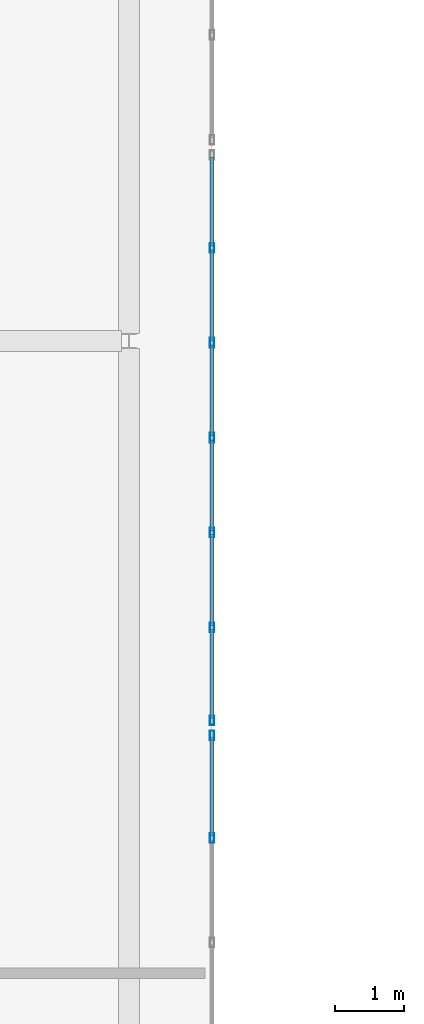
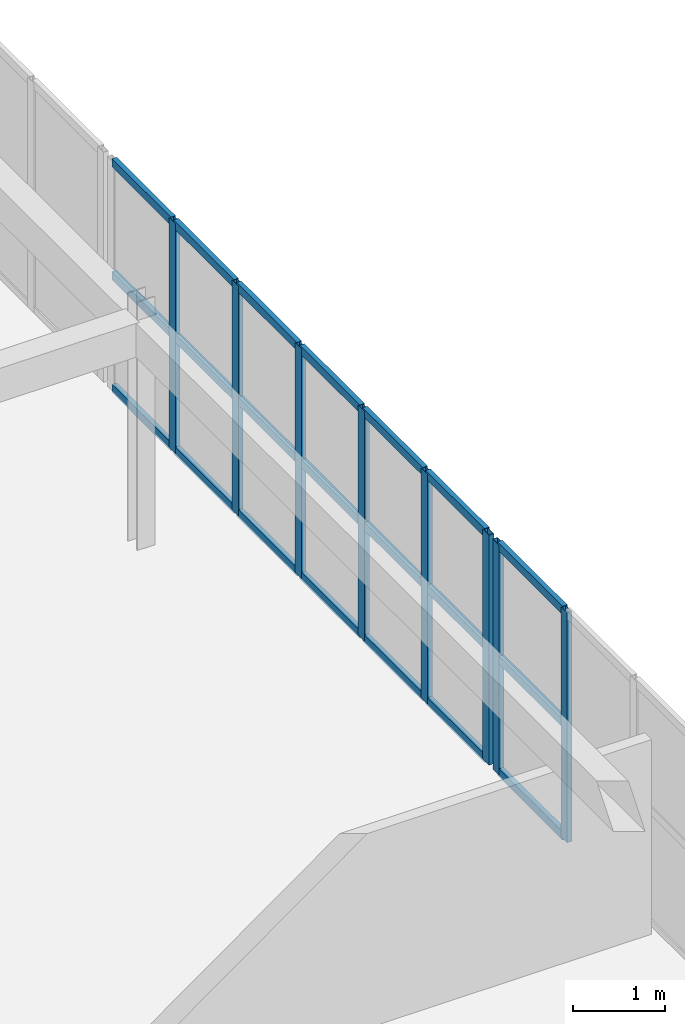
# One storey, part 77 of 148: 29 members, 2 elements without a shape of their own.
"""IFC4 building model written with IfcOpenShell, lengths in metres."""

from ifc_helpers import new_model, si_unit, direction, frame, origin, origin_2d, place, context, subcontext, project, spatial, hollow_rectangle, extrude, material, layer, layer_set, material_profile, profile_set, type_object, element, aggregate, save


model = new_model("IFC4")

# Units and contexts
model_context = context("Model", 3, precision=1e-05, world=origin(), true_north=direction((0.0, 1.0)))
body_context = subcontext(model_context, "Body", "Model", "MODEL_VIEW")
ifc_project = project(units=[si_unit("LENGTHUNIT", "METRE"), si_unit("AREAUNIT", "SQUARE_METRE"), si_unit("VOLUMEUNIT", "CUBIC_METRE"), si_unit("PLANEANGLEUNIT", "RADIAN"), si_unit("MASSUNIT", "GRAM", prefix="KILO")], contexts=[model_context])

# Site, building, storey
site_placement = place(None, origin())
site = spatial("IfcSite", under=ifc_project, at=site_placement, CompositionType="ELEMENT")
building_placement = place(site_placement, origin())
building = spatial("IfcBuilding", under=site, at=building_placement, Name="Trelvath General Hospital", CompositionType="ELEMENT")
storey_placement = place(building_placement, frame((0.0, 0.0, 12.89990234375)))
storey = spatial("IfcBuildingStorey", under=building, at=storey_placement, Name="L03", CompositionType="ELEMENT", Elevation=12.89990234375)

# Curtain wall, members
ifc_material_1 = material(Name="Anodised aluminium and low-E glass", Category="aluminium")
ifc_layer_1 = layer(ifc_material_1, 0.14990234375)
ifc_layer_set_1 = layer_set([ifc_layer_1], Name="Anodised aluminium and low-E glass")
curtain_wall_type_1 = type_object("IfcCurtainWallType", Name="CW CrystalCube 1664 306 15", PredefinedType="USERDEFINED", material=ifc_layer_set_1)
curtain_wall_1_placement = place(storey_placement, origin())
curtain_wall_1 = element("IfcCurtainWall", 1, at=curtain_wall_1_placement, inside=storey, type_object=curtain_wall_type_1, Name="Crystal Cube Curtain Wall CUBE-E-T1 E3 L03", ObjectType="Unitised Glazed Curtain Wall", PredefinedType="USERDEFINED")
ifc_material_2 = material(Name="Anodised aluminium", Category="aluminium")
ifc_material_profile_1 = material_profile(ifc_material_2, hollow_rectangle(XDim=0.06005859375, YDim=0.139892578125, WallThickness=0.00390625, at=origin_2d()), Name="RHS60x140x4")
ifc_profile_set_1 = profile_set([ifc_material_profile_1], Name="Anodised aluminium")
member_type_1 = type_object("IfcMemberType", Name="CurtainMullion 60x140", PredefinedType="MULLION", material=ifc_profile_set_1)
member_1_placement = place(storey_placement, frame((114.800048828125, 67.090087890625, 0.0), z_axis=(0.0, 0.0, 1.0), x_axis=(1.0, 0.0, 0.0)))
member_1 = element("IfcMember", 2, at=member_1_placement, type_object=member_type_1, Name="CW-253 mullion 1", PredefinedType="MULLION", context=body_context, shape_type="SweptSolid", body=[
    extrude(hollow_rectangle(XDim=0.06005859375, YDim=0.139892578125, WallThickness=0.00390625, at=origin_2d()), origin(), (0.0, 0.0, 1.0), 3.06005859375),
])
member_2_placement = place(storey_placement, frame((114.800048828125, 65.607177734375, 0.0), z_axis=(0.0, 0.0, 1.0), x_axis=(1.0, 0.0, 0.0)))
member_2 = element("IfcMember", 3, at=member_2_placement, type_object=member_type_1, Name="CW-253 mullion 2", PredefinedType="MULLION", context=body_context, shape_type="SweptSolid", body=[
    extrude(hollow_rectangle(XDim=0.06005859375, YDim=0.139892578125, WallThickness=0.00390625, at=origin_2d()), origin(), (0.0, 0.0, 1.0), 3.06005859375),
])

ifc_material_3 = material(Name="Anodised aluminium and low-E glass", Category="aluminium")
ifc_layer_2 = layer(ifc_material_3, 0.14990234375)
ifc_layer_set_2 = layer_set([ifc_layer_2], Name="Anodised aluminium and low-E glass")
curtain_wall_type_2 = type_object("IfcCurtainWallType", Name="CW CrystalCube 824 306 15", PredefinedType="USERDEFINED", material=ifc_layer_set_2)
curtain_wall_2_placement = place(storey_placement, origin())
curtain_wall_2 = element("IfcCurtainWall", 4, at=curtain_wall_2_placement, inside=storey, type_object=curtain_wall_type_2, Name="Crystal Cube Curtain Wall CUBE-E-T1 E4 L03", ObjectType="Unitised Glazed Curtain Wall", PredefinedType="USERDEFINED")
member_3_placement = place(storey_placement, frame((114.800048828125, 74.146728515625, 0.0), z_axis=(0.0, 0.0, 1.0), x_axis=(1.0, 0.0, 0.0)))
member_3 = element("IfcMember", 5, at=member_3_placement, type_object=member_type_1, Name="CW-254 mullion 2", PredefinedType="MULLION", context=body_context, shape_type="SweptSolid", body=[
    extrude(hollow_rectangle(XDim=0.06005859375, YDim=0.139892578125, WallThickness=0.00390625, at=origin_2d()), origin(), (0.0, 0.0, 1.0), 3.06005859375),
])
member_4_placement = place(storey_placement, frame((114.800048828125, 72.7734375, 0.0), z_axis=(0.0, 0.0, 1.0), x_axis=(1.0, 0.0, 0.0)))
member_4 = element("IfcMember", 6, at=member_4_placement, type_object=member_type_1, Name="CW-254 mullion 3", PredefinedType="MULLION", context=body_context, shape_type="SweptSolid", body=[
    extrude(hollow_rectangle(XDim=0.06005859375, YDim=0.139892578125, WallThickness=0.00390625, at=origin_2d()), origin(), (0.0, 0.0, 1.0), 3.06005859375),
])
member_5_placement = place(storey_placement, frame((114.800048828125, 71.39990234375, 0.0), z_axis=(0.0, 0.0, 1.0), x_axis=(1.0, 0.0, 0.0)))
member_5 = element("IfcMember", 7, at=member_5_placement, type_object=member_type_1, Name="CW-254 mullion 4", PredefinedType="MULLION", context=body_context, shape_type="SweptSolid", body=[
    extrude(hollow_rectangle(XDim=0.06005859375, YDim=0.139892578125, WallThickness=0.00390625, at=origin_2d()), origin(), (0.0, 0.0, 1.0), 3.06005859375),
])
member_6_placement = place(storey_placement, frame((114.800048828125, 70.026611328125, 0.0), z_axis=(0.0, 0.0, 1.0), x_axis=(1.0, 0.0, 0.0)))
member_6 = element("IfcMember", 8, at=member_6_placement, type_object=member_type_1, Name="CW-254 mullion 5", PredefinedType="MULLION", context=body_context, shape_type="SweptSolid", body=[
    extrude(hollow_rectangle(XDim=0.06005859375, YDim=0.139892578125, WallThickness=0.00390625, at=origin_2d()), origin(), (0.0, 0.0, 1.0), 3.06005859375),
])
member_7_placement = place(storey_placement, frame((114.800048828125, 68.6533203125, 0.0), z_axis=(0.0, 0.0, 1.0), x_axis=(1.0, 0.0, 0.0)))
member_7 = element("IfcMember", 9, at=member_7_placement, type_object=member_type_1, Name="CW-254 mullion 6", PredefinedType="MULLION", context=body_context, shape_type="SweptSolid", body=[
    extrude(hollow_rectangle(XDim=0.06005859375, YDim=0.139892578125, WallThickness=0.00390625, at=origin_2d()), origin(), (0.0, 0.0, 1.0), 3.06005859375),
])
member_8_placement = place(storey_placement, frame((114.800048828125, 67.31005859375, 0.0), z_axis=(0.0, 0.0, 1.0), x_axis=(1.0, 0.0, 0.0)))
member_8 = element("IfcMember", 10, at=member_8_placement, type_object=member_type_1, Name="CW-254 mullion 7", PredefinedType="MULLION", context=body_context, shape_type="SweptSolid", body=[
    extrude(hollow_rectangle(XDim=0.06005859375, YDim=0.139892578125, WallThickness=0.00390625, at=origin_2d()), origin(), (0.0, 0.0, 1.0), 3.06005859375),
])

# Member
ifc_material_4 = material(Name="Anodised aluminium", Category="aluminium")
ifc_material_profile_2 = material_profile(ifc_material_4, hollow_rectangle(XDim=0.06005859375, YDim=0.110107421875, WallThickness=0.00390625, at=origin_2d()), Name="RHS60x110x4")
ifc_profile_set_2 = profile_set([ifc_material_profile_2], Name="Anodised aluminium")
member_type_2 = type_object("IfcMemberType", Name="CurtainTransom 60x110", PredefinedType="USERDEFINED", material=ifc_profile_set_2)
member_9_placement = place(storey_placement, frame((114.800048828125, 67.06005859375, 0.030029296875), z_axis=(0.0, -1.0, 0.0), x_axis=(1.0, 0.0, 0.0)))
member_9 = element("IfcMember", 11, at=member_9_placement, type_object=member_type_2, Name="CW-253 transom 1.1", ObjectType="TRANSOM", PredefinedType="USERDEFINED", context=body_context, shape_type="SweptSolid", body=[
    extrude(hollow_rectangle(XDim=0.06005859375, YDim=0.110107421875, WallThickness=0.00390625, at=origin_2d()), origin(), (0.0, 0.0, 1.0), 1.4228515625),
])

member_10_placement = place(storey_placement, frame((114.800048828125, 67.06005859375, 1.530029296875), z_axis=(0.0, -1.0, 0.0), x_axis=(1.0, 0.0, 0.0)))
member_10 = element("IfcMember", 12, at=member_10_placement, type_object=member_type_2, Name="CW-253 transom 1.2", ObjectType="TRANSOM", PredefinedType="USERDEFINED", context=body_context, shape_type="SweptSolid", body=[
    extrude(hollow_rectangle(XDim=0.06005859375, YDim=0.110107421875, WallThickness=0.00390625, at=origin_2d()), origin(), (0.0, 0.0, 1.0), 1.4228515625),
])

member_11_placement = place(storey_placement, frame((114.800048828125, 67.06005859375, 3.030029296875), z_axis=(0.0, -1.0, 0.0), x_axis=(1.0, 0.0, 0.0)))
member_11 = element("IfcMember", 13, at=member_11_placement, type_object=member_type_2, Name="CW-253 transom 1.3", ObjectType="TRANSOM", PredefinedType="USERDEFINED", context=body_context, shape_type="SweptSolid", body=[
    extrude(hollow_rectangle(XDim=0.06005859375, YDim=0.110107421875, WallThickness=0.00390625, at=origin_2d()), origin(), (0.0, 0.0, 1.0), 1.4228515625),
])

aggregate(curtain_wall_1, [member_1, member_2, member_9, member_10, member_11])

member_12_placement = place(storey_placement, frame((114.800048828125, 75.4599609375, 0.030029296875), z_axis=(0.0, -1.0, 0.0), x_axis=(1.0, 0.0, 0.0)))
member_12 = element("IfcMember", 14, at=member_12_placement, type_object=member_type_2, Name="CW-254 transom 1.1", ObjectType="TRANSOM", PredefinedType="USERDEFINED", context=body_context, shape_type="SweptSolid", body=[
    extrude(hollow_rectangle(XDim=0.06005859375, YDim=0.110107421875, WallThickness=0.00390625, at=origin_2d()), origin(), (0.0, 0.0, 1.0), 1.283203125),
])

member_13_placement = place(storey_placement, frame((114.800048828125, 75.4599609375, 1.530029296875), z_axis=(0.0, -1.0, 0.0), x_axis=(1.0, 0.0, 0.0)))
member_13 = element("IfcMember", 15, at=member_13_placement, type_object=member_type_2, Name="CW-254 transom 1.2", ObjectType="TRANSOM", PredefinedType="USERDEFINED", context=body_context, shape_type="SweptSolid", body=[
    extrude(hollow_rectangle(XDim=0.06005859375, YDim=0.110107421875, WallThickness=0.00390625, at=origin_2d()), origin(), (0.0, 0.0, 1.0), 1.283203125),
])

member_14_placement = place(storey_placement, frame((114.800048828125, 75.4599609375, 3.030029296875), z_axis=(0.0, -1.0, 0.0), x_axis=(1.0, 0.0, 0.0)))
member_14 = element("IfcMember", 16, at=member_14_placement, type_object=member_type_2, Name="CW-254 transom 1.3", ObjectType="TRANSOM", PredefinedType="USERDEFINED", context=body_context, shape_type="SweptSolid", body=[
    extrude(hollow_rectangle(XDim=0.06005859375, YDim=0.110107421875, WallThickness=0.00390625, at=origin_2d()), origin(), (0.0, 0.0, 1.0), 1.283203125),
])

member_15_placement = place(storey_placement, frame((114.800048828125, 74.11669921875, 0.030029296875), z_axis=(0.0, -1.0, 0.0), x_axis=(1.0, 0.0, 0.0)))
member_15 = element("IfcMember", 17, at=member_15_placement, type_object=member_type_2, Name="CW-254 transom 2.1", ObjectType="TRANSOM", PredefinedType="USERDEFINED", context=body_context, shape_type="SweptSolid", body=[
    extrude(hollow_rectangle(XDim=0.06005859375, YDim=0.110107421875, WallThickness=0.00390625, at=origin_2d()), origin(), (0.0, 0.0, 1.0), 1.3134765625),
])

member_16_placement = place(storey_placement, frame((114.800048828125, 74.11669921875, 1.530029296875), z_axis=(0.0, -1.0, 0.0), x_axis=(1.0, 0.0, 0.0)))
member_16 = element("IfcMember", 18, at=member_16_placement, type_object=member_type_2, Name="CW-254 transom 2.2", ObjectType="TRANSOM", PredefinedType="USERDEFINED", context=body_context, shape_type="SweptSolid", body=[
    extrude(hollow_rectangle(XDim=0.06005859375, YDim=0.110107421875, WallThickness=0.00390625, at=origin_2d()), origin(), (0.0, 0.0, 1.0), 1.3134765625),
])

member_17_placement = place(storey_placement, frame((114.800048828125, 74.11669921875, 3.030029296875), z_axis=(0.0, -1.0, 0.0), x_axis=(1.0, 0.0, 0.0)))
member_17 = element("IfcMember", 19, at=member_17_placement, type_object=member_type_2, Name="CW-254 transom 2.3", ObjectType="TRANSOM", PredefinedType="USERDEFINED", context=body_context, shape_type="SweptSolid", body=[
    extrude(hollow_rectangle(XDim=0.06005859375, YDim=0.110107421875, WallThickness=0.00390625, at=origin_2d()), origin(), (0.0, 0.0, 1.0), 1.3134765625),
])

member_18_placement = place(storey_placement, frame((114.800048828125, 72.743408203125, 0.030029296875), z_axis=(0.0, -1.0, 0.0), x_axis=(1.0, 0.0, 0.0)))
member_18 = element("IfcMember", 20, at=member_18_placement, type_object=member_type_2, Name="CW-254 transom 3.1", ObjectType="TRANSOM", PredefinedType="USERDEFINED", context=body_context, shape_type="SweptSolid", body=[
    extrude(hollow_rectangle(XDim=0.06005859375, YDim=0.110107421875, WallThickness=0.00390625, at=origin_2d()), origin(), (0.0, 0.0, 1.0), 1.3134765625),
])

member_19_placement = place(storey_placement, frame((114.800048828125, 72.743408203125, 1.530029296875), z_axis=(0.0, -1.0, 0.0), x_axis=(1.0, 0.0, 0.0)))
member_19 = element("IfcMember", 21, at=member_19_placement, type_object=member_type_2, Name="CW-254 transom 3.2", ObjectType="TRANSOM", PredefinedType="USERDEFINED", context=body_context, shape_type="SweptSolid", body=[
    extrude(hollow_rectangle(XDim=0.06005859375, YDim=0.110107421875, WallThickness=0.00390625, at=origin_2d()), origin(), (0.0, 0.0, 1.0), 1.3134765625),
])

member_20_placement = place(storey_placement, frame((114.800048828125, 72.743408203125, 3.030029296875), z_axis=(0.0, -1.0, 0.0), x_axis=(1.0, 0.0, 0.0)))
member_20 = element("IfcMember", 22, at=member_20_placement, type_object=member_type_2, Name="CW-254 transom 3.3", ObjectType="TRANSOM", PredefinedType="USERDEFINED", context=body_context, shape_type="SweptSolid", body=[
    extrude(hollow_rectangle(XDim=0.06005859375, YDim=0.110107421875, WallThickness=0.00390625, at=origin_2d()), origin(), (0.0, 0.0, 1.0), 1.3134765625),
])

member_21_placement = place(storey_placement, frame((114.800048828125, 71.3701171875, 0.030029296875), z_axis=(0.0, -1.0, 0.0), x_axis=(1.0, 0.0, 0.0)))
member_21 = element("IfcMember", 23, at=member_21_placement, type_object=member_type_2, Name="CW-254 transom 4.1", ObjectType="TRANSOM", PredefinedType="USERDEFINED", context=body_context, shape_type="SweptSolid", body=[
    extrude(hollow_rectangle(XDim=0.06005859375, YDim=0.110107421875, WallThickness=0.00390625, at=origin_2d()), origin(), (0.0, 0.0, 1.0), 1.3134765625),
])

member_22_placement = place(storey_placement, frame((114.800048828125, 71.3701171875, 1.530029296875), z_axis=(0.0, -1.0, 0.0), x_axis=(1.0, 0.0, 0.0)))
member_22 = element("IfcMember", 24, at=member_22_placement, type_object=member_type_2, Name="CW-254 transom 4.2", ObjectType="TRANSOM", PredefinedType="USERDEFINED", context=body_context, shape_type="SweptSolid", body=[
    extrude(hollow_rectangle(XDim=0.06005859375, YDim=0.110107421875, WallThickness=0.00390625, at=origin_2d()), origin(), (0.0, 0.0, 1.0), 1.3134765625),
])

member_23_placement = place(storey_placement, frame((114.800048828125, 71.3701171875, 3.030029296875), z_axis=(0.0, -1.0, 0.0), x_axis=(1.0, 0.0, 0.0)))
member_23 = element("IfcMember", 25, at=member_23_placement, type_object=member_type_2, Name="CW-254 transom 4.3", ObjectType="TRANSOM", PredefinedType="USERDEFINED", context=body_context, shape_type="SweptSolid", body=[
    extrude(hollow_rectangle(XDim=0.06005859375, YDim=0.110107421875, WallThickness=0.00390625, at=origin_2d()), origin(), (0.0, 0.0, 1.0), 1.3134765625),
])

member_24_placement = place(storey_placement, frame((114.800048828125, 69.99658203125, 0.030029296875), z_axis=(0.0, -1.0, 0.0), x_axis=(1.0, 0.0, 0.0)))
member_24 = element("IfcMember", 26, at=member_24_placement, type_object=member_type_2, Name="CW-254 transom 5.1", ObjectType="TRANSOM", PredefinedType="USERDEFINED", context=body_context, shape_type="SweptSolid", body=[
    extrude(hollow_rectangle(XDim=0.06005859375, YDim=0.110107421875, WallThickness=0.00390625, at=origin_2d()), origin(), (0.0, 0.0, 1.0), 1.313232421875),
])

member_25_placement = place(storey_placement, frame((114.800048828125, 69.99658203125, 1.530029296875), z_axis=(0.0, -1.0, 0.0), x_axis=(1.0, 0.0, 0.0)))
member_25 = element("IfcMember", 27, at=member_25_placement, type_object=member_type_2, Name="CW-254 transom 5.2", ObjectType="TRANSOM", PredefinedType="USERDEFINED", context=body_context, shape_type="SweptSolid", body=[
    extrude(hollow_rectangle(XDim=0.06005859375, YDim=0.110107421875, WallThickness=0.00390625, at=origin_2d()), origin(), (0.0, 0.0, 1.0), 1.313232421875),
])

member_26_placement = place(storey_placement, frame((114.800048828125, 69.99658203125, 3.030029296875), z_axis=(0.0, -1.0, 0.0), x_axis=(1.0, 0.0, 0.0)))
member_26 = element("IfcMember", 28, at=member_26_placement, type_object=member_type_2, Name="CW-254 transom 5.3", ObjectType="TRANSOM", PredefinedType="USERDEFINED", context=body_context, shape_type="SweptSolid", body=[
    extrude(hollow_rectangle(XDim=0.06005859375, YDim=0.110107421875, WallThickness=0.00390625, at=origin_2d()), origin(), (0.0, 0.0, 1.0), 1.313232421875),
])

member_27_placement = place(storey_placement, frame((114.800048828125, 68.623291015625, 0.030029296875), z_axis=(0.0, -1.0, 0.0), x_axis=(1.0, 0.0, 0.0)))
member_27 = element("IfcMember", 29, at=member_27_placement, type_object=member_type_2, Name="CW-254 transom 6.1", ObjectType="TRANSOM", PredefinedType="USERDEFINED", context=body_context, shape_type="SweptSolid", body=[
    extrude(hollow_rectangle(XDim=0.06005859375, YDim=0.110107421875, WallThickness=0.00390625, at=origin_2d()), origin(), (0.0, 0.0, 1.0), 1.283203125),
])

member_28_placement = place(storey_placement, frame((114.800048828125, 68.623291015625, 1.530029296875), z_axis=(0.0, -1.0, 0.0), x_axis=(1.0, 0.0, 0.0)))
member_28 = element("IfcMember", 30, at=member_28_placement, type_object=member_type_2, Name="CW-254 transom 6.2", ObjectType="TRANSOM", PredefinedType="USERDEFINED", context=body_context, shape_type="SweptSolid", body=[
    extrude(hollow_rectangle(XDim=0.06005859375, YDim=0.110107421875, WallThickness=0.00390625, at=origin_2d()), origin(), (0.0, 0.0, 1.0), 1.283203125),
])

member_29_placement = place(storey_placement, frame((114.800048828125, 68.623291015625, 3.030029296875), z_axis=(0.0, -1.0, 0.0), x_axis=(1.0, 0.0, 0.0)))
member_29 = element("IfcMember", 31, at=member_29_placement, type_object=member_type_2, Name="CW-254 transom 6.3", ObjectType="TRANSOM", PredefinedType="USERDEFINED", context=body_context, shape_type="SweptSolid", body=[
    extrude(hollow_rectangle(XDim=0.06005859375, YDim=0.110107421875, WallThickness=0.00390625, at=origin_2d()), origin(), (0.0, 0.0, 1.0), 1.283203125),
])

aggregate(curtain_wall_2, [member_3, member_4, member_5, member_6, member_7, member_8, member_12, member_13, member_14, member_15, member_16, member_17, member_18, member_19, member_20, member_21, member_22, member_23, member_24, member_25, member_26, member_27, member_28, member_29])

save(model, "model.ifc")
